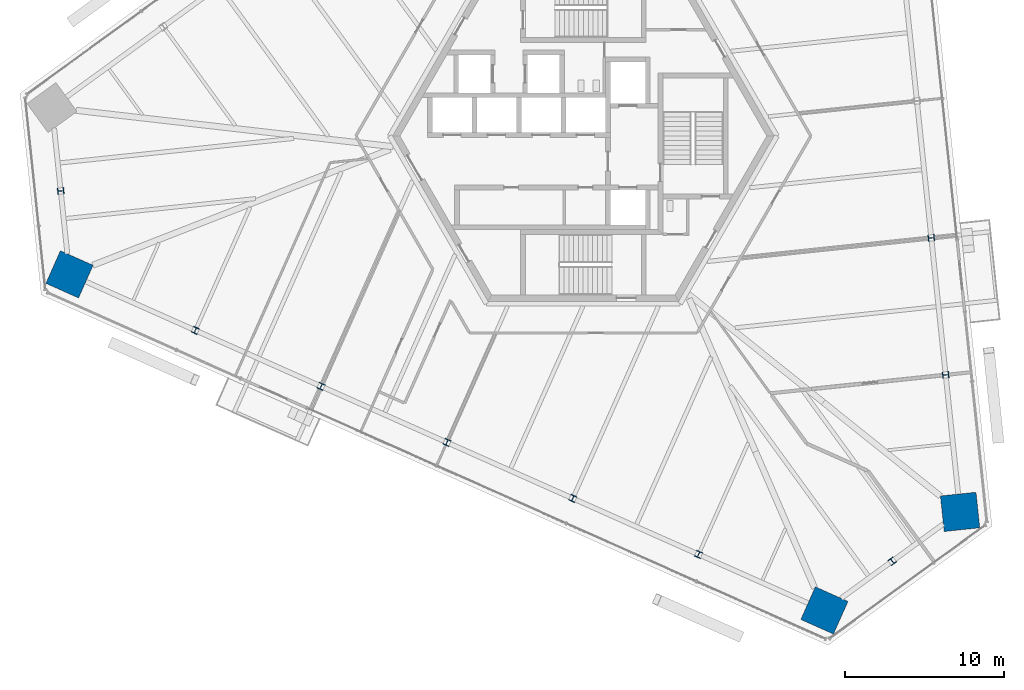
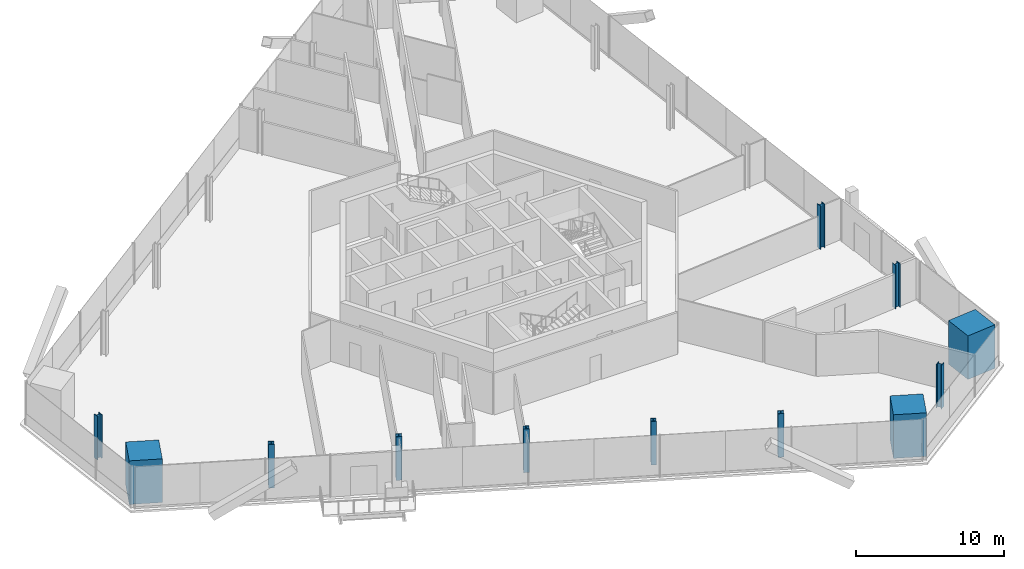
# One storey, part 1 of 17: 12 columns.
"""IFC4 building model written with IfcOpenShell, lengths in metres."""

from ifc_helpers import new_model, si_unit, direction, frame, origin, origin_2d, place, context, subcontext, project, spatial, rectangle, i_section, extrude, source, transform, mapped, material, material_profile, profile_set, type_object, element, save


model = new_model("IFC4")

# Units and contexts
model_context = context("Model", 3, precision=1e-05, world=origin(), true_north=direction((0.0, 1.0)))
body_context = subcontext(model_context, "Body", "Model", "MODEL_VIEW")
ifc_project = project(units=[si_unit("LENGTHUNIT", "METRE"), si_unit("AREAUNIT", "SQUARE_METRE"), si_unit("VOLUMEUNIT", "CUBIC_METRE"), si_unit("PLANEANGLEUNIT", "RADIAN"), si_unit("MASSUNIT", "GRAM", prefix="KILO")], contexts=[model_context])

# Site, building, storey
site_placement = place(None, origin())
site = spatial("IfcSite", under=ifc_project, at=site_placement, CompositionType="ELEMENT")
building_placement = place(site_placement, origin())
building = spatial("IfcBuilding", under=site, at=building_placement, Name="Triune Harvest Tower", CompositionType="ELEMENT")
storey_placement = place(building_placement, frame((0.0, 0.0, 62.10009765625)))
storey = spatial("IfcBuildingStorey", under=building, at=storey_placement, Name="L14", CompositionType="ELEMENT", Elevation=62.10009765625)

# Columns
ifc_material_1 = material(Name="Concrete 70 MPa", Category="concrete")
ifc_material_profile_1 = material_profile(ifc_material_1, rectangle(XDim=2.25, YDim=2.25, at=origin_2d()), Name="Composite 2250x2250")
ifc_profile_set_1 = profile_set([ifc_material_profile_1], Name="Concrete 70 MPa")
column_type_1 = type_object("IfcColumnType", Name="MC-2 Mega column Composite 2250x2250", PredefinedType="COLUMN", material=ifc_profile_set_1)
shared_shape_1 = source(origin(), body_context, "Body", "SweptSolid", [
    extrude(rectangle(XDim=2.25, YDim=2.25, at=origin_2d()), origin(), (0.0, 0.0, 1.0), 3.599853515625),
])
for number, where, z_axis, x_axis, name in (
    (1, (23.693359375, -23.6396484375, 0.0), (0.0, 0.0, 1.0), (-0.104526727499, 0.994522077803, 0.0), "col/L14/M0"),
    (2, (-32.319091796875, -8.69921875, 0.0), (0.0, 0.0, 1.0), (0.913545457643, -0.406736643076, 0.0), "col/L14/M16"),
    (3, (15.160888671875, -29.8388671875, 0.0), (0.0, 0.0, 1.0), (0.913545457643, -0.406736643076, 0.0), "col/L14/M22"),
):
    element("IfcColumn", number, at=place(storey_placement, frame(where, z_axis=z_axis, x_axis=x_axis)), inside=storey, type_object=column_type_1, Name=name, PredefinedType="COLUMN", context=body_context, shape_type="MappedRepresentation", body=[
        mapped(shared_shape_1, transform((0.0, 0.0, 0.0), scale=1.0)),
    ])
ifc_material_2 = material(Name="Steel ASTM A992 Gr 50", Category="steel")
ifc_material_profile_2 = material_profile(ifc_material_2, i_section(OverallWidth=0.398681640625, OverallDepth=0.393798828125, WebThickness=0.022705078125, FlangeThickness=0.03662109375, at=origin_2d()), Name="W14x193")
ifc_profile_set_2 = profile_set([ifc_material_profile_2], Name="Steel ASTM A992 Gr 50")
column_type_2 = type_object("IfcColumnType", Name="PC-2 Perimeter column W14x193", PredefinedType="COLUMN", material=ifc_profile_set_2)
shared_shape_2 = source(origin(), body_context, "Body", "SweptSolid", [
    extrude(i_section(OverallWidth=0.398681640625, OverallDepth=0.393798828125, WebThickness=0.022705078125, FlangeThickness=0.03662109375, at=origin_2d()), origin(), (0.0, 0.0, 1.0), 3.599853515625),
])
for number, where, z_axis, x_axis, name in (
    (4, (22.787841796875, -15.02490234375, 0.0), (0.0, 0.0, 1.0), (-0.104526727499, 0.994522077803, 0.0), "col/L14/P1"),
    (5, (21.88232421875, -6.409912109375, 0.0), (0.0, 0.0, 1.0), (-0.104526727499, 0.994522077803, 0.0), "col/L14/P2"),
    (6, (-32.870361328125, -3.454833984375, 0.0), (0.0, 0.0, 1.0), (0.104528463268, -0.994521895368, 0.0), "col/L14/P15"),
    (7, (-24.40576171875, -12.222412109375, 0.0), (0.0, 0.0, 1.0), (0.913545457643, -0.406736643076, 0.0), "col/L14/P17"),
    (8, (-16.492431640625, -15.745849609375, 0.0), (0.0, 0.0, 1.0), (0.913545457643, -0.406736643076, 0.0), "col/L14/P18"),
    (9, (-8.5791015625, -19.26904296875, 0.0), (0.0, 0.0, 1.0), (0.913545457643, -0.406736643076, 0.0), "col/L14/P19"),
    (10, (-0.665771484375, -22.792236328125, 0.0), (0.0, 0.0, 1.0), (0.913545457643, -0.406736643076, 0.0), "col/L14/P20"),
    (11, (7.24755859375, -26.3154296875, 0.0), (0.0, 0.0, 1.0), (0.913545457643, -0.406736643076, 0.0), "col/L14/P21"),
    (12, (19.427001953125, -26.7392578125, 0.0), (0.0, 0.0, 1.0), (0.809014942612, 0.587788076291, 0.0), "col/L14/P23"),
):
    element("IfcColumn", number, at=place(storey_placement, frame(where, z_axis=z_axis, x_axis=x_axis)), inside=storey, type_object=column_type_2, Name=name, PredefinedType="COLUMN", context=body_context, shape_type="MappedRepresentation", body=[
        mapped(shared_shape_2, transform((0.0, 0.0, 0.0), scale=1.0)),
    ])

save(model, "model.ifc")
